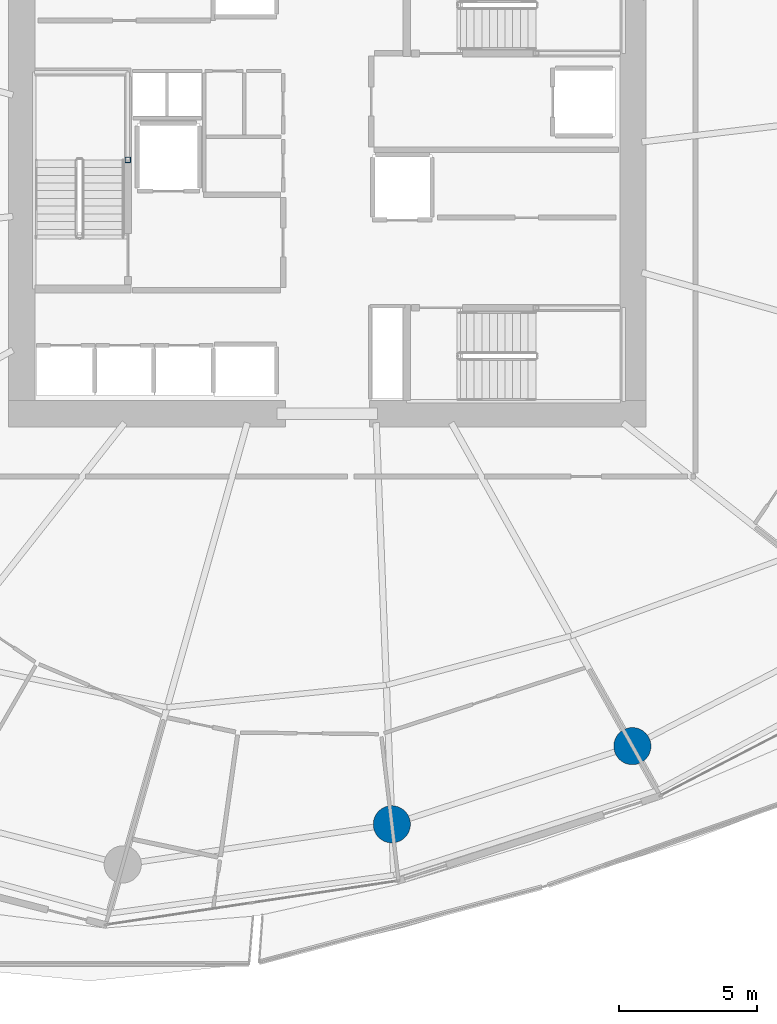
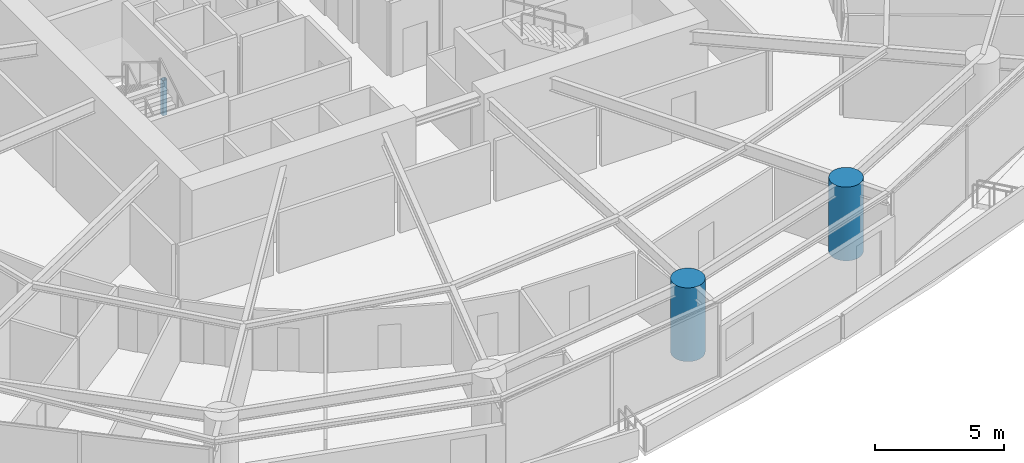
# One storey, part 2 of 31: 3 columns.
"""IFC4 building model written with IfcOpenShell, lengths in metres."""

from ifc_helpers import new_model, si_unit, direction, frame, origin, origin_2d, place, context, subcontext, project, spatial, hollow_rectangle, circle, extrude, material, material_profile, profile_set, type_object, element, save


model = new_model("IFC4")

# Units and contexts
model_context = context("Model", 3, precision=1e-05, world=origin(), true_north=direction((0.0, 1.0)))
body_context = subcontext(model_context, "Body", "Model", "MODEL_VIEW")
ifc_project = project(units=[si_unit("LENGTHUNIT", "METRE"), si_unit("AREAUNIT", "SQUARE_METRE"), si_unit("VOLUMEUNIT", "CUBIC_METRE"), si_unit("PLANEANGLEUNIT", "RADIAN"), si_unit("MASSUNIT", "GRAM", prefix="KILO")], contexts=[model_context])

# Site, building, storey
site_placement = place(None, origin())
site = spatial("IfcSite", under=ifc_project, at=site_placement, CompositionType="ELEMENT")
building_placement = place(site_placement, origin())
building = spatial("IfcBuilding", under=site, at=building_placement, Name="Kazma Halo Residences", CompositionType="ELEMENT")
storey_placement = place(building_placement, frame((0.0, 0.0, 30.14990234375)))
storey = spatial("IfcBuildingStorey", under=building, at=storey_placement, Name="L06", CompositionType="ELEMENT", Elevation=30.14990234375)

# Columns
ifc_material_1 = material(Name="Steel S355", Category="steel")
ifc_material_profile_1 = material_profile(ifc_material_1, hollow_rectangle(XDim=0.199951171875, YDim=0.199951171875, WallThickness=0.010009765625, InnerFilletRadius=0.010009765625, OuterFilletRadius=0.02001953125, at=origin_2d()), Name="SHS200x200x10")
ifc_profile_set_1 = profile_set([ifc_material_profile_1], Name="Steel S355")
column_type_1 = type_object("IfcColumnType", Name="COL-LP-SHS200", PredefinedType="COLUMN", material=ifc_profile_set_1)
column_placement = place(storey_placement, frame((41.179931640625, 42.75, 0.0), z_axis=(0.0, 0.0, 1.0), x_axis=(1.0, 0.0, 0.0)))
element("IfcColumn", 1, at=column_placement, inside=storey, type_object=column_type_1, Name="L06 ST-01 landing pilaster 1", PredefinedType="COLUMN", context=body_context, shape_type="SweptSolid", body=[
    extrude(hollow_rectangle(XDim=0.199951171875, YDim=0.199951171875, WallThickness=0.010009765625, InnerFilletRadius=0.010009765625, OuterFilletRadius=0.02001953125, at=origin_2d()), origin(), (0.0, 0.0, 1.0), 1.670166015625),
])
ifc_material_2 = material(Name="Concrete C80/95", Category="concrete")
ifc_material_profile_2 = material_profile(ifc_material_2, circle(Radius=0.675048828125, at=origin_2d()), Name="CIRC1350")
ifc_profile_set_2 = profile_set([ifc_material_profile_2], Name="Concrete C80/95")
column_type_2 = type_object("IfcColumnType", Name="COL-PERIM-1350", PredefinedType="COLUMN", material=ifc_profile_set_2)
for number, where, z_axis, x_axis, name in (
    (2, (50.768310546875, 18.610595703125, 0.0), (0.0, 0.0, 1.0), (1.0, 0.0, 0.0), "L06 perimeter ring column P12"),
    (3, (59.50830078125, 21.450439453125, 0.0), (0.0, 0.0, 1.0), (1.0, 0.0, 0.0), "L06 perimeter ring column P13"),
):
    element("IfcColumn", number, at=place(storey_placement, frame(where, z_axis=z_axis, x_axis=x_axis)), inside=storey, type_object=column_type_2, Name=name, PredefinedType="COLUMN", context=body_context, shape_type="SweptSolid", body=[
        extrude(circle(Radius=0.675048828125, at=origin_2d()), origin(), (0.0, 0.0, 1.0), 3.5),
    ])

save(model, "model.ifc")
